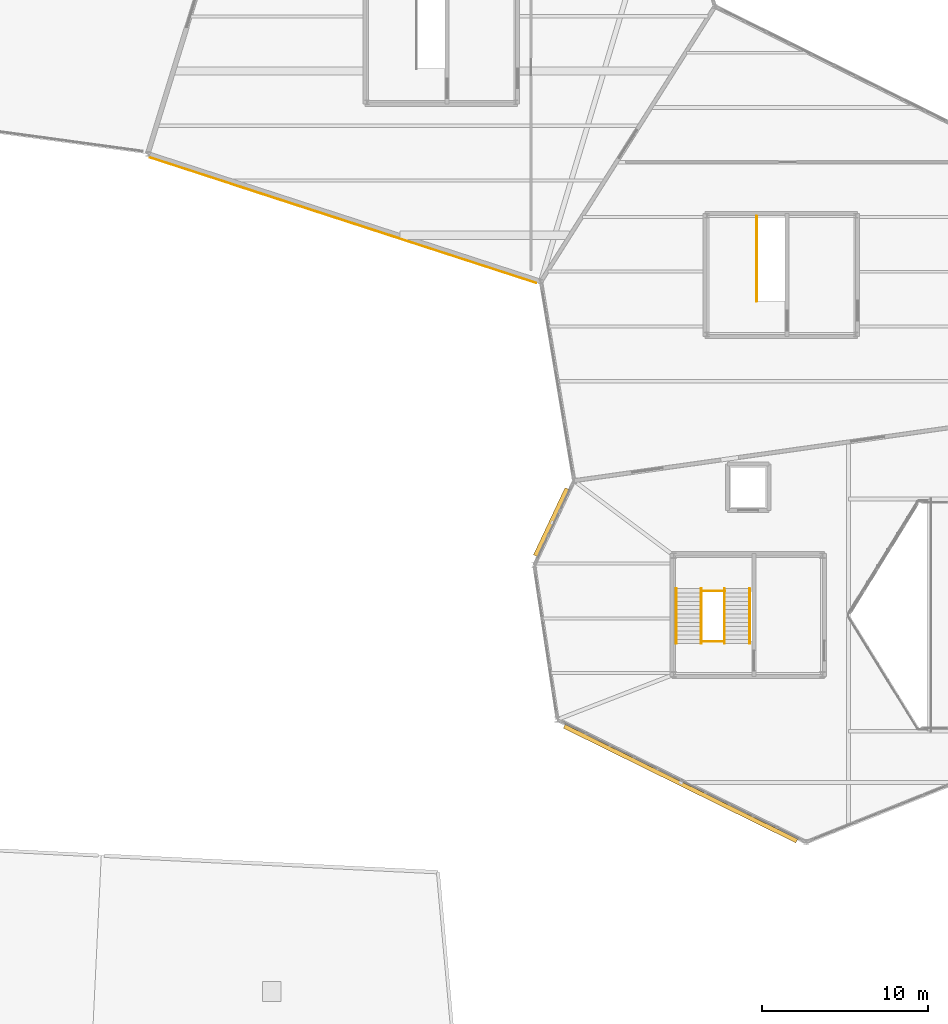
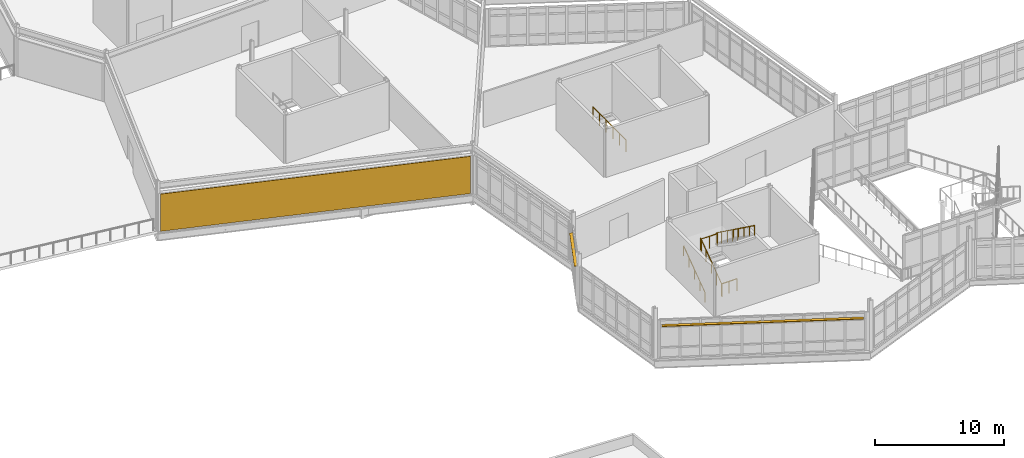
# One storey, part 71 of 76: 7 railings, 2 shading devices, 1 covering.
"""IFC4 building model written with IfcOpenShell, lengths in metres."""

from ifc_helpers import new_model, si_unit, direction, frame, frame_2d, origin, origin_2d, place, context, subcontext, project, spatial, rectangle, circle, extrude, material, layer, layer_set, type_object, element, save


model = new_model("IFC4")

# Units and contexts
model_context = context("Model", 3, precision=1e-05, world=origin(), true_north=direction((0.0, 1.0)))
body_context = subcontext(model_context, "Body", "Model", "MODEL_VIEW")
ifc_project = project(units=[si_unit("LENGTHUNIT", "METRE"), si_unit("AREAUNIT", "SQUARE_METRE"), si_unit("VOLUMEUNIT", "CUBIC_METRE"), si_unit("PLANEANGLEUNIT", "RADIAN"), si_unit("MASSUNIT", "GRAM", prefix="KILO")], contexts=[model_context])

# Site, building, storey
site_placement = place(None, origin())
site = spatial("IfcSite", under=ifc_project, at=site_placement, CompositionType="ELEMENT")
building_placement = place(site_placement, origin())
building = spatial("IfcBuilding", under=site, at=building_placement, Name="Tameran Prism Museum", CompositionType="ELEMENT")
storey_placement = place(building_placement, frame((0.0, 0.0, 15.0)))
storey = spatial("IfcBuildingStorey", under=building, at=storey_placement, Name="L03", CompositionType="ELEMENT", Elevation=15.0)

# Covering
ifc_material_1 = material(Name="White Fluted Mineral Precast GRC", Category="concrete")
ifc_layer_1 = layer(ifc_material_1, 0.044921875)
ifc_layer_set_1 = layer_set([ifc_layer_1])
covering_type = type_object("IfcCoveringType", Name="CV-FLUTE-WHT", PredefinedType="CLADDING", material=ifc_layer_set_1)
covering_placement = place(storey_placement, frame((49.720947265625, 56.51806640625, 0.050048828125), z_axis=(0.0, 0.0, 1.0), x_axis=(-0.951081877575, 0.308938929481, 0.0)))
element("IfcCovering", 1, at=covering_placement, inside=storey, type_object=covering_type, Name="Vertical Fluted White Precast Panel CL-0057", PredefinedType="CLADDING", context=body_context, shape_type="SweptSolid", body=[
    extrude(rectangle(XDim=24.49951171875, YDim=0.044921875, at=frame_2d((12.249755859375, 0.0))), origin(), (0.0, 0.0, 1.0), 3.52001953125),
])

# Railings
ifc_material_2 = material(Name="Marine Stainless Steel 316", Category="steel")
ifc_layer_2 = layer(ifc_material_2, 0.054931640625)
ifc_layer_set_2 = layer_set([ifc_layer_2])
railing_type_1 = type_object("IfcRailingType", Name="RL-GR-1120", PredefinedType="GUARDRAIL", material=ifc_layer_set_2)
railing_1_placement = place(storey_placement, frame((59.68994140625, 34.89990234375, 0.0)))
element("IfcRailing", 2, at=railing_1_placement, inside=storey, type_object=railing_type_1, Name="Stair Well Slot Guard GR-S100", PredefinedType="GUARDRAIL", context=body_context, shape_type="SweptSolid", body=[
    extrude(circle(Radius=0.02392578125, at=origin_2d()), frame((0.0, 0.0, 1.1259765625), z_axis=(1.0, 0.0, 0.0), x_axis=(0.0, 1.0, 0.0)), (0.0, 0.0, 1.0), 1.3701171875),
    extrude(circle(Radius=0.02099609375, at=origin_2d()), origin(), (0.0, 0.0, 1.0), 1.101806640625),
    extrude(circle(Radius=0.02099609375, at=origin_2d()), frame((0.68505859375, 0.0, 0.0)), (0.0, 0.0, 1.0), 1.101806640625),
    extrude(circle(Radius=0.02099609375, at=origin_2d()), frame((1.3701171875, 0.0, 0.0)), (0.0, 0.0, 1.0), 1.101806640625),
])
railing_2_placement = place(storey_placement, frame((59.669921875, 34.780029296875, 0.0)))
element("IfcRailing", 3, at=railing_2_placement, inside=storey, type_object=railing_type_1, Name="Stair Well Guardrail GR-S101", PredefinedType="GUARDRAIL", context=body_context, shape_type="SweptSolid", body=[
    extrude(circle(Radius=0.02392578125, at=origin_2d()), frame((0.0, 0.0, 1.1259765625), z_axis=(0.0, 0.810008566192, 0.586418044312), x_axis=(-1.0, 0.0, 0.0)), (0.0, 0.0, 1.0), 4.092529296875),
    extrude(circle(Radius=0.02099609375, at=origin_2d()), origin(), (0.0, 0.0, 1.0), 1.101806640625),
    extrude(circle(Radius=0.02099609375, at=origin_2d()), frame((0.0, 0.82861328125, 0.60009765625)), (0.0, 0.0, 1.0), 1.101806640625),
    extrude(circle(Radius=0.02099609375, at=origin_2d()), frame((0.0, 1.657470703125, 1.199951171875)), (0.0, 0.0, 1.0), 1.101806640625),
    extrude(circle(Radius=0.02099609375, at=origin_2d()), frame((0.0, 2.486328125, 1.7998046875)), (0.0, 0.0, 1.0), 1.101806640625),
    extrude(circle(Radius=0.02099609375, at=origin_2d()), frame((0.0, 3.31494140625, 2.39990234375)), (0.0, 0.0, 1.0), 1.101806640625),
])
railing_3_placement = place(storey_placement, frame((61.080078125, 38.094970703125, 2.39990234375)))
element("IfcRailing", 4, at=railing_3_placement, inside=storey, type_object=railing_type_1, Name="Stair Well Guardrail GR-S102", PredefinedType="GUARDRAIL", context=body_context, shape_type="SweptSolid", body=[
    extrude(circle(Radius=0.02392578125, at=origin_2d()), frame((0.0, 0.0, 1.1259765625), z_axis=(0.0, -0.809980229442, 0.586457183359), x_axis=(1.0, 0.0, 0.0)), (0.0, 0.0, 1.0), 4.092529296875),
    extrude(circle(Radius=0.02099609375, at=origin_2d()), origin(), (0.0, 0.0, 1.0), 1.101806640625),
    extrude(circle(Radius=0.02099609375, at=origin_2d()), frame((0.0, -0.82861328125, 0.60009765625)), (0.0, 0.0, 1.0), 1.101806640625),
    extrude(circle(Radius=0.02099609375, at=origin_2d()), frame((0.0, -1.657470703125, 1.2001953125)), (0.0, 0.0, 1.0), 1.101806640625),
    extrude(circle(Radius=0.02099609375, at=origin_2d()), frame((0.0, -2.486328125, 1.800048828125)), (0.0, 0.0, 1.0), 1.101806640625),
    extrude(circle(Radius=0.02099609375, at=origin_2d()), frame((0.0, -3.31494140625, 2.400146484375)), (0.0, 0.0, 1.0), 1.101806640625),
])
railing_4_placement = place(storey_placement, frame((59.64990234375, 37.955078125, 2.39990234375)))
element("IfcRailing", 5, at=railing_4_placement, inside=storey, type_object=railing_type_1, Name="Landing Well Guardrail GR-S103", PredefinedType="GUARDRAIL", context=body_context, shape_type="SweptSolid", body=[
    extrude(circle(Radius=0.02392578125, at=origin_2d()), frame((0.0, 0.0, 1.1259765625), z_axis=(1.0, 0.0, 0.0), x_axis=(0.0, 1.0, 0.0)), (0.0, 0.0, 1.0), 1.4501953125),
    extrude(circle(Radius=0.02099609375, at=origin_2d()), origin(), (0.0, 0.0, 1.0), 1.101806640625),
    extrude(circle(Radius=0.02099609375, at=origin_2d()), frame((0.72509765625, 0.0, 0.0)), (0.0, 0.0, 1.0), 1.101806640625),
    extrude(circle(Radius=0.02099609375, at=origin_2d()), frame((1.4501953125, 0.0, 0.0)), (0.0, 0.0, 1.0), 1.101806640625),
])
railing_5_placement = place(storey_placement, frame((63.010009765625, 55.419921875, 0.0)))
element("IfcRailing", 6, at=railing_5_placement, inside=storey, type_object=railing_type_1, Name="Stair Well Slot Guard GR-S120", PredefinedType="GUARDRAIL", context=body_context, shape_type="SweptSolid", body=[
    extrude(circle(Radius=0.02392578125, at=origin_2d()), frame((0.0, 0.0, 1.1259765625), z_axis=(0.0, 1.0, 0.0), x_axis=(-1.0, 0.0, 0.0)), (0.0, 0.0, 1.0), 5.130126953125),
    extrude(circle(Radius=0.02099609375, at=origin_2d()), origin(), (0.0, 0.0, 1.0), 1.101806640625),
    extrude(circle(Radius=0.02099609375, at=origin_2d()), frame((0.0, 1.026123046875, 0.0)), (0.0, 0.0, 1.0), 1.101806640625),
    extrude(circle(Radius=0.02099609375, at=origin_2d()), frame((0.0, 2.052001953125, 0.0)), (0.0, 0.0, 1.0), 1.101806640625),
    extrude(circle(Radius=0.02099609375, at=origin_2d()), frame((0.0, 3.078125, 0.0)), (0.0, 0.0, 1.0), 1.101806640625),
    extrude(circle(Radius=0.02099609375, at=origin_2d()), frame((0.0, 4.10400390625, 0.0)), (0.0, 0.0, 1.0), 1.101806640625),
    extrude(circle(Radius=0.02099609375, at=origin_2d()), frame((0.0, 5.130126953125, 0.0)), (0.0, 0.0, 1.0), 1.101806640625),
])
ifc_material_3 = material(Name="Brushed Stainless Steel 316", Category="steel")
ifc_layer_3 = layer(ifc_material_3, 0.048095703125)
ifc_layer_set_3 = layer_set([ifc_layer_3])
railing_type_2 = type_object("IfcRailingType", Name="RL-HR-920", PredefinedType="HANDRAIL", material=ifc_layer_set_3)
railing_6_placement = place(storey_placement, frame((58.159912109375, 34.780029296875, 0.0)))
element("IfcRailing", 7, at=railing_6_placement, inside=storey, type_object=railing_type_2, Name="Stair Flight Handrail HR-051", PredefinedType="HANDRAIL", context=body_context, shape_type="SweptSolid", body=[
    extrude(circle(Radius=0.02392578125, at=origin_2d()), frame((0.0, 0.0, 0.89599609375), z_axis=(0.0, 0.810008566192, 0.586418044312), x_axis=(-1.0, 0.0, 0.0)), (0.0, 0.0, 1.0), 4.092529296875),
    extrude(circle(Radius=0.02099609375, at=origin_2d()), origin(), (0.0, 0.0, 1.0), 0.871826171875),
    extrude(circle(Radius=0.02099609375, at=origin_2d()), frame((0.0, 0.82861328125, 0.60009765625)), (0.0, 0.0, 1.0), 0.871826171875),
    extrude(circle(Radius=0.02099609375, at=origin_2d()), frame((0.0, 1.657470703125, 1.199951171875)), (0.0, 0.0, 1.0), 0.871826171875),
    extrude(circle(Radius=0.02099609375, at=origin_2d()), frame((0.0, 2.486328125, 1.7998046875)), (0.0, 0.0, 1.0), 0.871826171875),
    extrude(circle(Radius=0.02099609375, at=origin_2d()), frame((0.0, 3.31494140625, 2.39990234375)), (0.0, 0.0, 1.0), 0.871826171875),
])
railing_7_placement = place(storey_placement, frame((62.590087890625, 38.094970703125, 2.39990234375)))
element("IfcRailing", 8, at=railing_7_placement, inside=storey, type_object=railing_type_2, Name="Stair Flight Handrail HR-052", PredefinedType="HANDRAIL", context=body_context, shape_type="SweptSolid", body=[
    extrude(circle(Radius=0.02392578125, at=origin_2d()), frame((0.0, 0.0, 0.89599609375), z_axis=(0.0, -0.809980229442, 0.586457183359), x_axis=(1.0, 0.0, 0.0)), (0.0, 0.0, 1.0), 4.092529296875),
    extrude(circle(Radius=0.02099609375, at=origin_2d()), origin(), (0.0, 0.0, 1.0), 0.871826171875),
    extrude(circle(Radius=0.02099609375, at=origin_2d()), frame((0.0, -0.82861328125, 0.60009765625)), (0.0, 0.0, 1.0), 0.871826171875),
    extrude(circle(Radius=0.02099609375, at=origin_2d()), frame((0.0, -1.657470703125, 1.2001953125)), (0.0, 0.0, 1.0), 0.871826171875),
    extrude(circle(Radius=0.02099609375, at=origin_2d()), frame((0.0, -2.486328125, 1.800048828125)), (0.0, 0.0, 1.0), 0.871826171875),
    extrude(circle(Radius=0.02099609375, at=origin_2d()), frame((0.0, -3.31494140625, 2.400146484375)), (0.0, 0.0, 1.0), 0.871826171875),
])

# Shading devices
ifc_material_4 = material(Name="Anodised Aluminium Alloy 6063-T6", Category="aluminium")
ifc_layer_4 = layer(ifc_material_4, 0.044921875)
ifc_layer_set_4 = layer_set([ifc_layer_4])
shading_device_type_1 = type_object("IfcShadingDeviceType", Name="SH-JAL-240", PredefinedType="JALOUSIE", material=ifc_layer_set_4)
shading_device_1_placement = place(storey_placement, frame((58.419921875, 26.339111328125, 3.139892578125), z_axis=(0.0, 0.0, 1.0), x_axis=(-0.896795533934, 0.442445217305, 0.0)))
element("IfcShadingDevice", 9, at=shading_device_1_placement, inside=storey, type_object=shading_device_type_1, Name="Monsoon Storm Louvre SLV-058", PredefinedType="JALOUSIE", context=body_context, shape_type="SweptSolid", body=[
    extrude(rectangle(XDim=15.6259765625, YDim=0.260009765625, at=origin_2d()), origin(), (0.0, 0.0, 1.0), 0.06005859375),
])
ifc_material_5 = material(Name="Anodised Aluminium Alloy 6063-T6", Category="aluminium")
ifc_layer_5 = layer(ifc_material_5, 0.050048828125)
ifc_layer_set_5 = layer_set([ifc_layer_5])
shading_device_type_2 = type_object("IfcShadingDeviceType", Name="SH-LOUV-300", PredefinedType="SHUTTER", material=ifc_layer_set_5)
shading_device_2_placement = place(storey_placement, frame((50.6240234375, 42.10009765625, 3.139892578125), z_axis=(0.0, 0.0, 1.0), x_axis=(0.425779291565, 0.904827052466, 0.0)))
element("IfcShadingDevice", 10, at=shading_device_2_placement, inside=storey, type_object=shading_device_type_2, Name="Monsoon Storm Louvre SLV-059", PredefinedType="SHUTTER", context=body_context, shape_type="SweptSolid", body=[
    extrude(rectangle(XDim=4.47705078125, YDim=0.260009765625, at=origin_2d()), origin(), (0.0, 0.0, 1.0), 0.06005859375),
])

save(model, "model.ifc")
